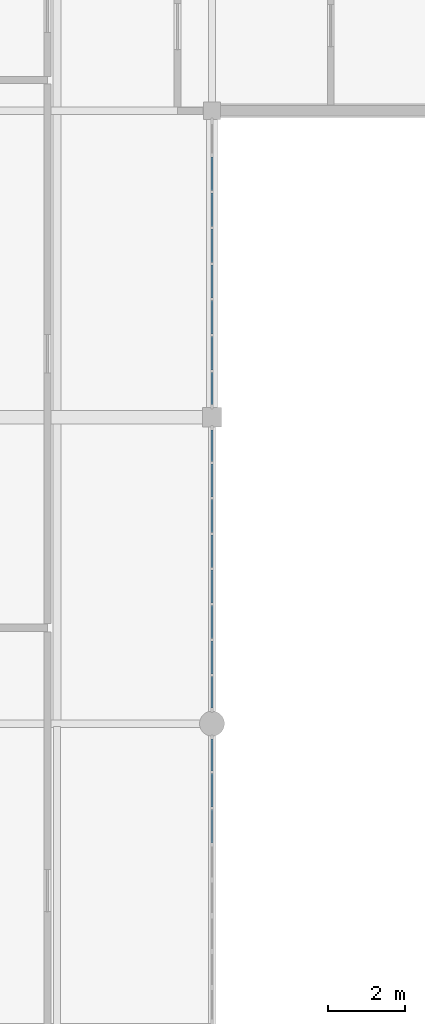
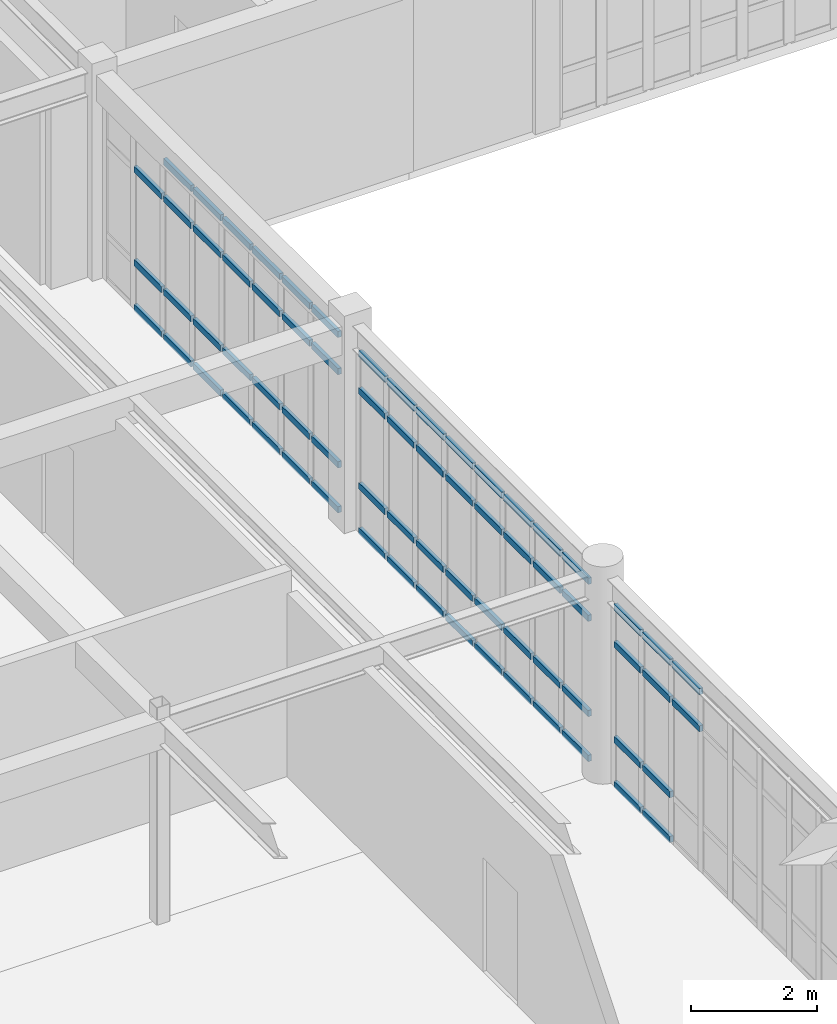
# One storey, part 17 of 36: 69 members, 3 elements without a shape of their own.
"""IFC4 building model written with IfcOpenShell, lengths in metres."""

from ifc_helpers import new_model, si_unit, direction, frame, origin, origin_2d, place, context, subcontext, project, spatial, rectangle, extrude, material, material_profile, profile_set, type_object, element, aggregate, save


model = new_model("IFC4")

# Units and contexts
model_context = context("Model", 3, precision=1e-05, world=origin(), true_north=direction((0.0, 1.0)))
body_context = subcontext(model_context, "Body", "Model", "MODEL_VIEW")
ifc_project = project(units=[si_unit("LENGTHUNIT", "METRE"), si_unit("AREAUNIT", "SQUARE_METRE"), si_unit("VOLUMEUNIT", "CUBIC_METRE"), si_unit("PLANEANGLEUNIT", "RADIAN"), si_unit("MASSUNIT", "GRAM", prefix="KILO")], contexts=[model_context])

# Site, building, storey
site_placement = place(None, origin())
site = spatial("IfcSite", under=ifc_project, at=site_placement, CompositionType="ELEMENT")
building_placement = place(site_placement, origin())
building = spatial("IfcBuilding", under=site, at=building_placement, Name="Tarnveldt Square Police Headquarters", CompositionType="ELEMENT")
storey_placement = place(building_placement, frame((0.0, 0.0, 24.89990234375)))
storey = spatial("IfcBuildingStorey", under=building, at=storey_placement, Name="L05", CompositionType="ELEMENT", Elevation=24.89990234375)

# Curtain wall, members
ifc_material_1 = material(Name="Triple-glazed low-e laminated vision glass", Category="glass")
curtain_wall_type_1 = type_object("IfcCurtainWallType", Name="CW-UP-748x349", PredefinedType="USERDEFINED", material=ifc_material_1)
curtain_wall_1_placement = place(storey_placement, origin())
curtain_wall_1 = element("IfcCurtainWall", 1, at=curtain_wall_1_placement, inside=storey, type_object=curtain_wall_type_1, Name="L05 Curtain Wall CW-L05-086", ObjectType="GLAZED CURTAIN WALL", PredefinedType="USERDEFINED")
ifc_material_2 = material(Name="Thermally broken anodised aluminium 6063-T6", Category="aluminium")
ifc_material_profile = material_profile(ifc_material_2, rectangle(XDim=0.06494140625, YDim=0.1201171875, at=origin_2d()), Name="CW-T65x120")
ifc_profile_set = profile_set([ifc_material_profile], Name="Thermally broken anodised aluminium 6063-T6")
member_type = type_object("IfcMemberType", Name="CWT-65x120", PredefinedType="USERDEFINED", material=ifc_profile_set)
member_1_placement = place(storey_placement, frame((40.5, 76.886474609375, 2.739013671875), z_axis=(0.0, 1.0, 0.0), x_axis=(-1.0, 0.0, 0.0)))
member_1 = element("IfcMember", 2, at=member_1_placement, type_object=member_type, Name="CW-UP44 transom 6.3", ObjectType="TRANSOM", PredefinedType="USERDEFINED", context=body_context, shape_type="SweptSolid", body=[
    extrude(rectangle(XDim=0.06494140625, YDim=0.1201171875, at=origin_2d()), origin(), (0.0, 0.0, 1.0), 0.870361328125),
])
member_2_placement = place(storey_placement, frame((40.5, 76.886474609375, 3.45654296875), z_axis=(0.0, 1.0, 0.0), x_axis=(-1.0, 0.0, 0.0)))
member_2 = element("IfcMember", 3, at=member_2_placement, type_object=member_type, Name="CW-UP44 transom 6.4", ObjectType="TRANSOM", PredefinedType="USERDEFINED", context=body_context, shape_type="SweptSolid", body=[
    extrude(rectangle(XDim=0.06494140625, YDim=0.1201171875, at=origin_2d()), origin(), (0.0, 0.0, 1.0), 0.870361328125),
])
member_3_placement = place(storey_placement, frame((40.5, 77.82177734375, 0.03271484375), z_axis=(0.0, 1.0, 0.0), x_axis=(-1.0, 0.0, 0.0)))
member_3 = element("IfcMember", 4, at=member_3_placement, type_object=member_type, Name="CW-UP44 transom 7.1", ObjectType="TRANSOM", PredefinedType="USERDEFINED", context=body_context, shape_type="SweptSolid", body=[
    extrude(rectangle(XDim=0.06494140625, YDim=0.1201171875, at=origin_2d()), origin(), (0.0, 0.0, 1.0), 0.870361328125),
])
member_4_placement = place(storey_placement, frame((40.5, 77.82177734375, 0.900146484375), z_axis=(0.0, 1.0, 0.0), x_axis=(-1.0, 0.0, 0.0)))
member_4 = element("IfcMember", 5, at=member_4_placement, type_object=member_type, Name="CW-UP44 transom 7.2", ObjectType="TRANSOM", PredefinedType="USERDEFINED", context=body_context, shape_type="SweptSolid", body=[
    extrude(rectangle(XDim=0.06494140625, YDim=0.1201171875, at=origin_2d()), origin(), (0.0, 0.0, 1.0), 0.870361328125),
])
member_5_placement = place(storey_placement, frame((40.5, 77.82177734375, 2.739013671875), z_axis=(0.0, 1.0, 0.0), x_axis=(-1.0, 0.0, 0.0)))
member_5 = element("IfcMember", 6, at=member_5_placement, type_object=member_type, Name="CW-UP44 transom 7.3", ObjectType="TRANSOM", PredefinedType="USERDEFINED", context=body_context, shape_type="SweptSolid", body=[
    extrude(rectangle(XDim=0.06494140625, YDim=0.1201171875, at=origin_2d()), origin(), (0.0, 0.0, 1.0), 0.870361328125),
])
member_6_placement = place(storey_placement, frame((40.5, 77.82177734375, 3.45654296875), z_axis=(0.0, 1.0, 0.0), x_axis=(-1.0, 0.0, 0.0)))
member_6 = element("IfcMember", 7, at=member_6_placement, type_object=member_type, Name="CW-UP44 transom 7.4", ObjectType="TRANSOM", PredefinedType="USERDEFINED", context=body_context, shape_type="SweptSolid", body=[
    extrude(rectangle(XDim=0.06494140625, YDim=0.1201171875, at=origin_2d()), origin(), (0.0, 0.0, 1.0), 0.870361328125),
])
member_7_placement = place(storey_placement, frame((40.5, 78.757080078125, 0.03271484375), z_axis=(0.0, 1.0, 0.0), x_axis=(-1.0, 0.0, 0.0)))
member_7 = element("IfcMember", 8, at=member_7_placement, type_object=member_type, Name="CW-UP44 transom 8.1", ObjectType="TRANSOM", PredefinedType="USERDEFINED", context=body_context, shape_type="SweptSolid", body=[
    extrude(rectangle(XDim=0.06494140625, YDim=0.1201171875, at=origin_2d()), origin(), (0.0, 0.0, 1.0), 0.837890625),
])
member_8_placement = place(storey_placement, frame((40.5, 78.757080078125, 0.900146484375), z_axis=(0.0, 1.0, 0.0), x_axis=(-1.0, 0.0, 0.0)))
member_8 = element("IfcMember", 9, at=member_8_placement, type_object=member_type, Name="CW-UP44 transom 8.2", ObjectType="TRANSOM", PredefinedType="USERDEFINED", context=body_context, shape_type="SweptSolid", body=[
    extrude(rectangle(XDim=0.06494140625, YDim=0.1201171875, at=origin_2d()), origin(), (0.0, 0.0, 1.0), 0.837890625),
])
member_9_placement = place(storey_placement, frame((40.5, 78.757080078125, 2.739013671875), z_axis=(0.0, 1.0, 0.0), x_axis=(-1.0, 0.0, 0.0)))
member_9 = element("IfcMember", 10, at=member_9_placement, type_object=member_type, Name="CW-UP44 transom 8.3", ObjectType="TRANSOM", PredefinedType="USERDEFINED", context=body_context, shape_type="SweptSolid", body=[
    extrude(rectangle(XDim=0.06494140625, YDim=0.1201171875, at=origin_2d()), origin(), (0.0, 0.0, 1.0), 0.837890625),
])
member_10_placement = place(storey_placement, frame((40.5, 78.757080078125, 3.45654296875), z_axis=(0.0, 1.0, 0.0), x_axis=(-1.0, 0.0, 0.0)))
member_10 = element("IfcMember", 11, at=member_10_placement, type_object=member_type, Name="CW-UP44 transom 8.4", ObjectType="TRANSOM", PredefinedType="USERDEFINED", context=body_context, shape_type="SweptSolid", body=[
    extrude(rectangle(XDim=0.06494140625, YDim=0.1201171875, at=origin_2d()), origin(), (0.0, 0.0, 1.0), 0.837890625),
])
aggregate(curtain_wall_1, [member_1, member_2, member_3, member_4, member_5, member_6, member_7, member_8, member_9, member_10])

curtain_wall_type_2 = type_object("IfcCurtainWallType", Name="CW-UP-739x349", PredefinedType="USERDEFINED", material=ifc_material_1)
curtain_wall_2_placement = place(storey_placement, origin())
curtain_wall_2 = element("IfcCurtainWall", 12, at=curtain_wall_2_placement, inside=storey, type_object=curtain_wall_type_2, Name="L05 Curtain Wall CW-L05-087", ObjectType="GLAZED CURTAIN WALL", PredefinedType="USERDEFINED")
member_11_placement = place(storey_placement, frame((40.5, 80.405029296875, 0.03271484375), z_axis=(0.0, 1.0, 0.0), x_axis=(-1.0, 0.0, 0.0)))
member_11 = element("IfcMember", 13, at=member_11_placement, type_object=member_type, Name="CW-UP45 transom 1.1", ObjectType="TRANSOM", PredefinedType="USERDEFINED", context=body_context, shape_type="SweptSolid", body=[
    extrude(rectangle(XDim=0.06494140625, YDim=0.1201171875, at=origin_2d()), origin(), (0.0, 0.0, 1.0), 0.826904296875),
])
member_12_placement = place(storey_placement, frame((40.5, 80.405029296875, 0.900146484375), z_axis=(0.0, 1.0, 0.0), x_axis=(-1.0, 0.0, 0.0)))
member_12 = element("IfcMember", 14, at=member_12_placement, type_object=member_type, Name="CW-UP45 transom 1.2", ObjectType="TRANSOM", PredefinedType="USERDEFINED", context=body_context, shape_type="SweptSolid", body=[
    extrude(rectangle(XDim=0.06494140625, YDim=0.1201171875, at=origin_2d()), origin(), (0.0, 0.0, 1.0), 0.826904296875),
])
member_13_placement = place(storey_placement, frame((40.5, 80.405029296875, 2.739013671875), z_axis=(0.0, 1.0, 0.0), x_axis=(-1.0, 0.0, 0.0)))
member_13 = element("IfcMember", 15, at=member_13_placement, type_object=member_type, Name="CW-UP45 transom 1.3", ObjectType="TRANSOM", PredefinedType="USERDEFINED", context=body_context, shape_type="SweptSolid", body=[
    extrude(rectangle(XDim=0.06494140625, YDim=0.1201171875, at=origin_2d()), origin(), (0.0, 0.0, 1.0), 0.826904296875),
])
member_14_placement = place(storey_placement, frame((40.5, 80.405029296875, 3.45654296875), z_axis=(0.0, 1.0, 0.0), x_axis=(-1.0, 0.0, 0.0)))
member_14 = element("IfcMember", 16, at=member_14_placement, type_object=member_type, Name="CW-UP45 transom 1.4", ObjectType="TRANSOM", PredefinedType="USERDEFINED", context=body_context, shape_type="SweptSolid", body=[
    extrude(rectangle(XDim=0.06494140625, YDim=0.1201171875, at=origin_2d()), origin(), (0.0, 0.0, 1.0), 0.826904296875),
])
member_15_placement = place(storey_placement, frame((40.5, 81.296875, 0.03271484375), z_axis=(0.0, 1.0, 0.0), x_axis=(-1.0, 0.0, 0.0)))
member_15 = element("IfcMember", 17, at=member_15_placement, type_object=member_type, Name="CW-UP45 transom 2.1", ObjectType="TRANSOM", PredefinedType="USERDEFINED", context=body_context, shape_type="SweptSolid", body=[
    extrude(rectangle(XDim=0.06494140625, YDim=0.1201171875, at=origin_2d()), origin(), (0.0, 0.0, 1.0), 0.859375),
])
member_16_placement = place(storey_placement, frame((40.5, 81.296875, 0.900146484375), z_axis=(0.0, 1.0, 0.0), x_axis=(-1.0, 0.0, 0.0)))
member_16 = element("IfcMember", 18, at=member_16_placement, type_object=member_type, Name="CW-UP45 transom 2.2", ObjectType="TRANSOM", PredefinedType="USERDEFINED", context=body_context, shape_type="SweptSolid", body=[
    extrude(rectangle(XDim=0.06494140625, YDim=0.1201171875, at=origin_2d()), origin(), (0.0, 0.0, 1.0), 0.859375),
])
member_17_placement = place(storey_placement, frame((40.5, 81.296875, 2.739013671875), z_axis=(0.0, 1.0, 0.0), x_axis=(-1.0, 0.0, 0.0)))
member_17 = element("IfcMember", 19, at=member_17_placement, type_object=member_type, Name="CW-UP45 transom 2.3", ObjectType="TRANSOM", PredefinedType="USERDEFINED", context=body_context, shape_type="SweptSolid", body=[
    extrude(rectangle(XDim=0.06494140625, YDim=0.1201171875, at=origin_2d()), origin(), (0.0, 0.0, 1.0), 0.859375),
])
member_18_placement = place(storey_placement, frame((40.5, 81.296875, 3.45654296875), z_axis=(0.0, 1.0, 0.0), x_axis=(-1.0, 0.0, 0.0)))
member_18 = element("IfcMember", 20, at=member_18_placement, type_object=member_type, Name="CW-UP45 transom 2.4", ObjectType="TRANSOM", PredefinedType="USERDEFINED", context=body_context, shape_type="SweptSolid", body=[
    extrude(rectangle(XDim=0.06494140625, YDim=0.1201171875, at=origin_2d()), origin(), (0.0, 0.0, 1.0), 0.859375),
])
member_19_placement = place(storey_placement, frame((40.5, 82.22119140625, 0.03271484375), z_axis=(0.0, 1.0, 0.0), x_axis=(-1.0, 0.0, 0.0)))
member_19 = element("IfcMember", 21, at=member_19_placement, type_object=member_type, Name="CW-UP45 transom 3.1", ObjectType="TRANSOM", PredefinedType="USERDEFINED", context=body_context, shape_type="SweptSolid", body=[
    extrude(rectangle(XDim=0.06494140625, YDim=0.1201171875, at=origin_2d()), origin(), (0.0, 0.0, 1.0), 0.859375),
])
member_20_placement = place(storey_placement, frame((40.5, 82.22119140625, 0.900146484375), z_axis=(0.0, 1.0, 0.0), x_axis=(-1.0, 0.0, 0.0)))
member_20 = element("IfcMember", 22, at=member_20_placement, type_object=member_type, Name="CW-UP45 transom 3.2", ObjectType="TRANSOM", PredefinedType="USERDEFINED", context=body_context, shape_type="SweptSolid", body=[
    extrude(rectangle(XDim=0.06494140625, YDim=0.1201171875, at=origin_2d()), origin(), (0.0, 0.0, 1.0), 0.859375),
])
member_21_placement = place(storey_placement, frame((40.5, 82.22119140625, 2.739013671875), z_axis=(0.0, 1.0, 0.0), x_axis=(-1.0, 0.0, 0.0)))
member_21 = element("IfcMember", 23, at=member_21_placement, type_object=member_type, Name="CW-UP45 transom 3.3", ObjectType="TRANSOM", PredefinedType="USERDEFINED", context=body_context, shape_type="SweptSolid", body=[
    extrude(rectangle(XDim=0.06494140625, YDim=0.1201171875, at=origin_2d()), origin(), (0.0, 0.0, 1.0), 0.859375),
])
member_22_placement = place(storey_placement, frame((40.5, 82.22119140625, 3.45654296875), z_axis=(0.0, 1.0, 0.0), x_axis=(-1.0, 0.0, 0.0)))
member_22 = element("IfcMember", 24, at=member_22_placement, type_object=member_type, Name="CW-UP45 transom 3.4", ObjectType="TRANSOM", PredefinedType="USERDEFINED", context=body_context, shape_type="SweptSolid", body=[
    extrude(rectangle(XDim=0.06494140625, YDim=0.1201171875, at=origin_2d()), origin(), (0.0, 0.0, 1.0), 0.859375),
])
member_23_placement = place(storey_placement, frame((40.5, 83.1455078125, 0.03271484375), z_axis=(0.0, 1.0, 0.0), x_axis=(-1.0, 0.0, 0.0)))
member_23 = element("IfcMember", 25, at=member_23_placement, type_object=member_type, Name="CW-UP45 transom 4.1", ObjectType="TRANSOM", PredefinedType="USERDEFINED", context=body_context, shape_type="SweptSolid", body=[
    extrude(rectangle(XDim=0.06494140625, YDim=0.1201171875, at=origin_2d()), origin(), (0.0, 0.0, 1.0), 0.859375),
])
member_24_placement = place(storey_placement, frame((40.5, 83.1455078125, 0.900146484375), z_axis=(0.0, 1.0, 0.0), x_axis=(-1.0, 0.0, 0.0)))
member_24 = element("IfcMember", 26, at=member_24_placement, type_object=member_type, Name="CW-UP45 transom 4.2", ObjectType="TRANSOM", PredefinedType="USERDEFINED", context=body_context, shape_type="SweptSolid", body=[
    extrude(rectangle(XDim=0.06494140625, YDim=0.1201171875, at=origin_2d()), origin(), (0.0, 0.0, 1.0), 0.859375),
])
member_25_placement = place(storey_placement, frame((40.5, 83.1455078125, 2.739013671875), z_axis=(0.0, 1.0, 0.0), x_axis=(-1.0, 0.0, 0.0)))
member_25 = element("IfcMember", 27, at=member_25_placement, type_object=member_type, Name="CW-UP45 transom 4.3", ObjectType="TRANSOM", PredefinedType="USERDEFINED", context=body_context, shape_type="SweptSolid", body=[
    extrude(rectangle(XDim=0.06494140625, YDim=0.1201171875, at=origin_2d()), origin(), (0.0, 0.0, 1.0), 0.859375),
])
member_26_placement = place(storey_placement, frame((40.5, 83.1455078125, 3.45654296875), z_axis=(0.0, 1.0, 0.0), x_axis=(-1.0, 0.0, 0.0)))
member_26 = element("IfcMember", 28, at=member_26_placement, type_object=member_type, Name="CW-UP45 transom 4.4", ObjectType="TRANSOM", PredefinedType="USERDEFINED", context=body_context, shape_type="SweptSolid", body=[
    extrude(rectangle(XDim=0.06494140625, YDim=0.1201171875, at=origin_2d()), origin(), (0.0, 0.0, 1.0), 0.859375),
])
member_27_placement = place(storey_placement, frame((40.5, 84.070068359375, 0.03271484375), z_axis=(0.0, 1.0, 0.0), x_axis=(-1.0, 0.0, 0.0)))
member_27 = element("IfcMember", 29, at=member_27_placement, type_object=member_type, Name="CW-UP45 transom 5.1", ObjectType="TRANSOM", PredefinedType="USERDEFINED", context=body_context, shape_type="SweptSolid", body=[
    extrude(rectangle(XDim=0.06494140625, YDim=0.1201171875, at=origin_2d()), origin(), (0.0, 0.0, 1.0), 0.859375),
])
member_28_placement = place(storey_placement, frame((40.5, 84.070068359375, 0.900146484375), z_axis=(0.0, 1.0, 0.0), x_axis=(-1.0, 0.0, 0.0)))
member_28 = element("IfcMember", 30, at=member_28_placement, type_object=member_type, Name="CW-UP45 transom 5.2", ObjectType="TRANSOM", PredefinedType="USERDEFINED", context=body_context, shape_type="SweptSolid", body=[
    extrude(rectangle(XDim=0.06494140625, YDim=0.1201171875, at=origin_2d()), origin(), (0.0, 0.0, 1.0), 0.859375),
])
member_29_placement = place(storey_placement, frame((40.5, 84.070068359375, 2.739013671875), z_axis=(0.0, 1.0, 0.0), x_axis=(-1.0, 0.0, 0.0)))
member_29 = element("IfcMember", 31, at=member_29_placement, type_object=member_type, Name="CW-UP45 transom 5.3", ObjectType="TRANSOM", PredefinedType="USERDEFINED", context=body_context, shape_type="SweptSolid", body=[
    extrude(rectangle(XDim=0.06494140625, YDim=0.1201171875, at=origin_2d()), origin(), (0.0, 0.0, 1.0), 0.859375),
])
member_30_placement = place(storey_placement, frame((40.5, 84.070068359375, 3.45654296875), z_axis=(0.0, 1.0, 0.0), x_axis=(-1.0, 0.0, 0.0)))
member_30 = element("IfcMember", 32, at=member_30_placement, type_object=member_type, Name="CW-UP45 transom 5.4", ObjectType="TRANSOM", PredefinedType="USERDEFINED", context=body_context, shape_type="SweptSolid", body=[
    extrude(rectangle(XDim=0.06494140625, YDim=0.1201171875, at=origin_2d()), origin(), (0.0, 0.0, 1.0), 0.859375),
])
member_31_placement = place(storey_placement, frame((40.5, 84.994384765625, 0.03271484375), z_axis=(0.0, 1.0, 0.0), x_axis=(-1.0, 0.0, 0.0)))
member_31 = element("IfcMember", 33, at=member_31_placement, type_object=member_type, Name="CW-UP45 transom 6.1", ObjectType="TRANSOM", PredefinedType="USERDEFINED", context=body_context, shape_type="SweptSolid", body=[
    extrude(rectangle(XDim=0.06494140625, YDim=0.1201171875, at=origin_2d()), origin(), (0.0, 0.0, 1.0), 0.859375),
])
member_32_placement = place(storey_placement, frame((40.5, 84.994384765625, 0.900146484375), z_axis=(0.0, 1.0, 0.0), x_axis=(-1.0, 0.0, 0.0)))
member_32 = element("IfcMember", 34, at=member_32_placement, type_object=member_type, Name="CW-UP45 transom 6.2", ObjectType="TRANSOM", PredefinedType="USERDEFINED", context=body_context, shape_type="SweptSolid", body=[
    extrude(rectangle(XDim=0.06494140625, YDim=0.1201171875, at=origin_2d()), origin(), (0.0, 0.0, 1.0), 0.859375),
])
member_33_placement = place(storey_placement, frame((40.5, 84.994384765625, 2.739013671875), z_axis=(0.0, 1.0, 0.0), x_axis=(-1.0, 0.0, 0.0)))
member_33 = element("IfcMember", 35, at=member_33_placement, type_object=member_type, Name="CW-UP45 transom 6.3", ObjectType="TRANSOM", PredefinedType="USERDEFINED", context=body_context, shape_type="SweptSolid", body=[
    extrude(rectangle(XDim=0.06494140625, YDim=0.1201171875, at=origin_2d()), origin(), (0.0, 0.0, 1.0), 0.859375),
])
member_34_placement = place(storey_placement, frame((40.5, 84.994384765625, 3.45654296875), z_axis=(0.0, 1.0, 0.0), x_axis=(-1.0, 0.0, 0.0)))
member_34 = element("IfcMember", 36, at=member_34_placement, type_object=member_type, Name="CW-UP45 transom 6.4", ObjectType="TRANSOM", PredefinedType="USERDEFINED", context=body_context, shape_type="SweptSolid", body=[
    extrude(rectangle(XDim=0.06494140625, YDim=0.1201171875, at=origin_2d()), origin(), (0.0, 0.0, 1.0), 0.859375),
])
member_35_placement = place(storey_placement, frame((40.5, 85.918701171875, 0.03271484375), z_axis=(0.0, 1.0, 0.0), x_axis=(-1.0, 0.0, 0.0)))
member_35 = element("IfcMember", 37, at=member_35_placement, type_object=member_type, Name="CW-UP45 transom 7.1", ObjectType="TRANSOM", PredefinedType="USERDEFINED", context=body_context, shape_type="SweptSolid", body=[
    extrude(rectangle(XDim=0.06494140625, YDim=0.1201171875, at=origin_2d()), origin(), (0.0, 0.0, 1.0), 0.859375),
])
member_36_placement = place(storey_placement, frame((40.5, 85.918701171875, 0.900146484375), z_axis=(0.0, 1.0, 0.0), x_axis=(-1.0, 0.0, 0.0)))
member_36 = element("IfcMember", 38, at=member_36_placement, type_object=member_type, Name="CW-UP45 transom 7.2", ObjectType="TRANSOM", PredefinedType="USERDEFINED", context=body_context, shape_type="SweptSolid", body=[
    extrude(rectangle(XDim=0.06494140625, YDim=0.1201171875, at=origin_2d()), origin(), (0.0, 0.0, 1.0), 0.859375),
])
member_37_placement = place(storey_placement, frame((40.5, 85.918701171875, 2.739013671875), z_axis=(0.0, 1.0, 0.0), x_axis=(-1.0, 0.0, 0.0)))
member_37 = element("IfcMember", 39, at=member_37_placement, type_object=member_type, Name="CW-UP45 transom 7.3", ObjectType="TRANSOM", PredefinedType="USERDEFINED", context=body_context, shape_type="SweptSolid", body=[
    extrude(rectangle(XDim=0.06494140625, YDim=0.1201171875, at=origin_2d()), origin(), (0.0, 0.0, 1.0), 0.859375),
])
member_38_placement = place(storey_placement, frame((40.5, 85.918701171875, 3.45654296875), z_axis=(0.0, 1.0, 0.0), x_axis=(-1.0, 0.0, 0.0)))
member_38 = element("IfcMember", 40, at=member_38_placement, type_object=member_type, Name="CW-UP45 transom 7.4", ObjectType="TRANSOM", PredefinedType="USERDEFINED", context=body_context, shape_type="SweptSolid", body=[
    extrude(rectangle(XDim=0.06494140625, YDim=0.1201171875, at=origin_2d()), origin(), (0.0, 0.0, 1.0), 0.859375),
])
member_39_placement = place(storey_placement, frame((40.5, 86.843017578125, 0.03271484375), z_axis=(0.0, 1.0, 0.0), x_axis=(-1.0, 0.0, 0.0)))
member_39 = element("IfcMember", 41, at=member_39_placement, type_object=member_type, Name="CW-UP45 transom 8.1", ObjectType="TRANSOM", PredefinedType="USERDEFINED", context=body_context, shape_type="SweptSolid", body=[
    extrude(rectangle(XDim=0.06494140625, YDim=0.1201171875, at=origin_2d()), origin(), (0.0, 0.0, 1.0), 0.826904296875),
])
member_40_placement = place(storey_placement, frame((40.5, 86.843017578125, 0.900146484375), z_axis=(0.0, 1.0, 0.0), x_axis=(-1.0, 0.0, 0.0)))
member_40 = element("IfcMember", 42, at=member_40_placement, type_object=member_type, Name="CW-UP45 transom 8.2", ObjectType="TRANSOM", PredefinedType="USERDEFINED", context=body_context, shape_type="SweptSolid", body=[
    extrude(rectangle(XDim=0.06494140625, YDim=0.1201171875, at=origin_2d()), origin(), (0.0, 0.0, 1.0), 0.826904296875),
])
member_41_placement = place(storey_placement, frame((40.5, 86.843017578125, 2.739013671875), z_axis=(0.0, 1.0, 0.0), x_axis=(-1.0, 0.0, 0.0)))
member_41 = element("IfcMember", 43, at=member_41_placement, type_object=member_type, Name="CW-UP45 transom 8.3", ObjectType="TRANSOM", PredefinedType="USERDEFINED", context=body_context, shape_type="SweptSolid", body=[
    extrude(rectangle(XDim=0.06494140625, YDim=0.1201171875, at=origin_2d()), origin(), (0.0, 0.0, 1.0), 0.826904296875),
])
member_42_placement = place(storey_placement, frame((40.5, 86.843017578125, 3.45654296875), z_axis=(0.0, 1.0, 0.0), x_axis=(-1.0, 0.0, 0.0)))
member_42 = element("IfcMember", 44, at=member_42_placement, type_object=member_type, Name="CW-UP45 transom 8.4", ObjectType="TRANSOM", PredefinedType="USERDEFINED", context=body_context, shape_type="SweptSolid", body=[
    extrude(rectangle(XDim=0.06494140625, YDim=0.1201171875, at=origin_2d()), origin(), (0.0, 0.0, 1.0), 0.826904296875),
])
aggregate(curtain_wall_2, [member_11, member_12, member_13, member_14, member_15, member_16, member_17, member_18, member_19, member_20, member_21, member_22, member_23, member_24, member_25, member_26, member_27, member_28, member_29, member_30, member_31, member_32, member_33, member_34, member_35, member_36, member_37, member_38, member_39, member_40, member_41, member_42])

curtain_wall_type_3 = type_object("IfcCurtainWallType", Name="CW-UP-750x345", PredefinedType="USERDEFINED", material=ifc_material_1)
curtain_wall_3_placement = place(storey_placement, origin())
curtain_wall_3 = element("IfcCurtainWall", 45, at=curtain_wall_3_placement, inside=storey, type_object=curtain_wall_type_3, Name="L05 Curtain Wall CW-L05-088", ObjectType="GLAZED CURTAIN WALL", PredefinedType="USERDEFINED")
member_43_placement = place(storey_placement, frame((40.5, 88.330078125, 0.03271484375), z_axis=(0.0, 1.0, 0.0), x_axis=(-1.0, 0.0, 0.0)))
member_43 = element("IfcMember", 46, at=member_43_placement, type_object=member_type, Name="CW-UP46 transom 1.1", ObjectType="TRANSOM", PredefinedType="USERDEFINED", context=body_context, shape_type="SweptSolid", body=[
    extrude(rectangle(XDim=0.06494140625, YDim=0.1201171875, at=origin_2d()), origin(), (0.0, 0.0, 1.0), 0.83935546875),
])
member_44_placement = place(storey_placement, frame((40.5, 88.330078125, 0.900146484375), z_axis=(0.0, 1.0, 0.0), x_axis=(-1.0, 0.0, 0.0)))
member_44 = element("IfcMember", 47, at=member_44_placement, type_object=member_type, Name="CW-UP46 transom 1.2", ObjectType="TRANSOM", PredefinedType="USERDEFINED", context=body_context, shape_type="SweptSolid", body=[
    extrude(rectangle(XDim=0.06494140625, YDim=0.1201171875, at=origin_2d()), origin(), (0.0, 0.0, 1.0), 0.83935546875),
])
member_45_placement = place(storey_placement, frame((40.5, 88.330078125, 2.7021484375), z_axis=(0.0, 1.0, 0.0), x_axis=(-1.0, 0.0, 0.0)))
member_45 = element("IfcMember", 48, at=member_45_placement, type_object=member_type, Name="CW-UP46 transom 1.3", ObjectType="TRANSOM", PredefinedType="USERDEFINED", context=body_context, shape_type="SweptSolid", body=[
    extrude(rectangle(XDim=0.06494140625, YDim=0.1201171875, at=origin_2d()), origin(), (0.0, 0.0, 1.0), 0.83935546875),
])
member_46_placement = place(storey_placement, frame((40.5, 88.330078125, 3.419677734375), z_axis=(0.0, 1.0, 0.0), x_axis=(-1.0, 0.0, 0.0)))
member_46 = element("IfcMember", 49, at=member_46_placement, type_object=member_type, Name="CW-UP46 transom 1.4", ObjectType="TRANSOM", PredefinedType="USERDEFINED", context=body_context, shape_type="SweptSolid", body=[
    extrude(rectangle(XDim=0.06494140625, YDim=0.1201171875, at=origin_2d()), origin(), (0.0, 0.0, 1.0), 0.83935546875),
])
member_47_placement = place(storey_placement, frame((40.5, 89.234375, 0.03271484375), z_axis=(0.0, 1.0, 0.0), x_axis=(-1.0, 0.0, 0.0)))
member_47 = element("IfcMember", 50, at=member_47_placement, type_object=member_type, Name="CW-UP46 transom 2.1", ObjectType="TRANSOM", PredefinedType="USERDEFINED", context=body_context, shape_type="SweptSolid", body=[
    extrude(rectangle(XDim=0.06494140625, YDim=0.1201171875, at=origin_2d()), origin(), (0.0, 0.0, 1.0), 0.871826171875),
])
member_48_placement = place(storey_placement, frame((40.5, 89.234375, 0.900146484375), z_axis=(0.0, 1.0, 0.0), x_axis=(-1.0, 0.0, 0.0)))
member_48 = element("IfcMember", 51, at=member_48_placement, type_object=member_type, Name="CW-UP46 transom 2.2", ObjectType="TRANSOM", PredefinedType="USERDEFINED", context=body_context, shape_type="SweptSolid", body=[
    extrude(rectangle(XDim=0.06494140625, YDim=0.1201171875, at=origin_2d()), origin(), (0.0, 0.0, 1.0), 0.871826171875),
])
member_49_placement = place(storey_placement, frame((40.5, 89.234375, 2.7021484375), z_axis=(0.0, 1.0, 0.0), x_axis=(-1.0, 0.0, 0.0)))
member_49 = element("IfcMember", 52, at=member_49_placement, type_object=member_type, Name="CW-UP46 transom 2.3", ObjectType="TRANSOM", PredefinedType="USERDEFINED", context=body_context, shape_type="SweptSolid", body=[
    extrude(rectangle(XDim=0.06494140625, YDim=0.1201171875, at=origin_2d()), origin(), (0.0, 0.0, 1.0), 0.871826171875),
])
member_50_placement = place(storey_placement, frame((40.5, 89.234375, 3.419677734375), z_axis=(0.0, 1.0, 0.0), x_axis=(-1.0, 0.0, 0.0)))
member_50 = element("IfcMember", 53, at=member_50_placement, type_object=member_type, Name="CW-UP46 transom 2.4", ObjectType="TRANSOM", PredefinedType="USERDEFINED", context=body_context, shape_type="SweptSolid", body=[
    extrude(rectangle(XDim=0.06494140625, YDim=0.1201171875, at=origin_2d()), origin(), (0.0, 0.0, 1.0), 0.871826171875),
])
member_51_placement = place(storey_placement, frame((40.5, 90.171142578125, 0.03271484375), z_axis=(0.0, 1.0, 0.0), x_axis=(-1.0, 0.0, 0.0)))
member_51 = element("IfcMember", 54, at=member_51_placement, type_object=member_type, Name="CW-UP46 transom 3.1", ObjectType="TRANSOM", PredefinedType="USERDEFINED", context=body_context, shape_type="SweptSolid", body=[
    extrude(rectangle(XDim=0.06494140625, YDim=0.1201171875, at=origin_2d()), origin(), (0.0, 0.0, 1.0), 0.8720703125),
])
member_52_placement = place(storey_placement, frame((40.5, 90.171142578125, 0.900146484375), z_axis=(0.0, 1.0, 0.0), x_axis=(-1.0, 0.0, 0.0)))
member_52 = element("IfcMember", 55, at=member_52_placement, type_object=member_type, Name="CW-UP46 transom 3.2", ObjectType="TRANSOM", PredefinedType="USERDEFINED", context=body_context, shape_type="SweptSolid", body=[
    extrude(rectangle(XDim=0.06494140625, YDim=0.1201171875, at=origin_2d()), origin(), (0.0, 0.0, 1.0), 0.8720703125),
])
member_53_placement = place(storey_placement, frame((40.5, 90.171142578125, 2.7021484375), z_axis=(0.0, 1.0, 0.0), x_axis=(-1.0, 0.0, 0.0)))
member_53 = element("IfcMember", 56, at=member_53_placement, type_object=member_type, Name="CW-UP46 transom 3.3", ObjectType="TRANSOM", PredefinedType="USERDEFINED", context=body_context, shape_type="SweptSolid", body=[
    extrude(rectangle(XDim=0.06494140625, YDim=0.1201171875, at=origin_2d()), origin(), (0.0, 0.0, 1.0), 0.8720703125),
])
member_54_placement = place(storey_placement, frame((40.5, 90.171142578125, 3.419677734375), z_axis=(0.0, 1.0, 0.0), x_axis=(-1.0, 0.0, 0.0)))
member_54 = element("IfcMember", 57, at=member_54_placement, type_object=member_type, Name="CW-UP46 transom 3.4", ObjectType="TRANSOM", PredefinedType="USERDEFINED", context=body_context, shape_type="SweptSolid", body=[
    extrude(rectangle(XDim=0.06494140625, YDim=0.1201171875, at=origin_2d()), origin(), (0.0, 0.0, 1.0), 0.8720703125),
])
member_55_placement = place(storey_placement, frame((40.5, 91.108154296875, 0.03271484375), z_axis=(0.0, 1.0, 0.0), x_axis=(-1.0, 0.0, 0.0)))
member_55 = element("IfcMember", 58, at=member_55_placement, type_object=member_type, Name="CW-UP46 transom 4.1", ObjectType="TRANSOM", PredefinedType="USERDEFINED", context=body_context, shape_type="SweptSolid", body=[
    extrude(rectangle(XDim=0.06494140625, YDim=0.1201171875, at=origin_2d()), origin(), (0.0, 0.0, 1.0), 0.871826171875),
])
member_56_placement = place(storey_placement, frame((40.5, 91.108154296875, 0.900146484375), z_axis=(0.0, 1.0, 0.0), x_axis=(-1.0, 0.0, 0.0)))
member_56 = element("IfcMember", 59, at=member_56_placement, type_object=member_type, Name="CW-UP46 transom 4.2", ObjectType="TRANSOM", PredefinedType="USERDEFINED", context=body_context, shape_type="SweptSolid", body=[
    extrude(rectangle(XDim=0.06494140625, YDim=0.1201171875, at=origin_2d()), origin(), (0.0, 0.0, 1.0), 0.871826171875),
])
member_57_placement = place(storey_placement, frame((40.5, 91.108154296875, 2.7021484375), z_axis=(0.0, 1.0, 0.0), x_axis=(-1.0, 0.0, 0.0)))
member_57 = element("IfcMember", 60, at=member_57_placement, type_object=member_type, Name="CW-UP46 transom 4.3", ObjectType="TRANSOM", PredefinedType="USERDEFINED", context=body_context, shape_type="SweptSolid", body=[
    extrude(rectangle(XDim=0.06494140625, YDim=0.1201171875, at=origin_2d()), origin(), (0.0, 0.0, 1.0), 0.871826171875),
])
member_58_placement = place(storey_placement, frame((40.5, 91.108154296875, 3.419677734375), z_axis=(0.0, 1.0, 0.0), x_axis=(-1.0, 0.0, 0.0)))
member_58 = element("IfcMember", 61, at=member_58_placement, type_object=member_type, Name="CW-UP46 transom 4.4", ObjectType="TRANSOM", PredefinedType="USERDEFINED", context=body_context, shape_type="SweptSolid", body=[
    extrude(rectangle(XDim=0.06494140625, YDim=0.1201171875, at=origin_2d()), origin(), (0.0, 0.0, 1.0), 0.871826171875),
])
member_59_placement = place(storey_placement, frame((40.5, 92.044921875, 0.03271484375), z_axis=(0.0, 1.0, 0.0), x_axis=(-1.0, 0.0, 0.0)))
member_59 = element("IfcMember", 62, at=member_59_placement, type_object=member_type, Name="CW-UP46 transom 5.1", ObjectType="TRANSOM", PredefinedType="USERDEFINED", context=body_context, shape_type="SweptSolid", body=[
    extrude(rectangle(XDim=0.06494140625, YDim=0.1201171875, at=origin_2d()), origin(), (0.0, 0.0, 1.0), 0.8720703125),
])
member_60_placement = place(storey_placement, frame((40.5, 92.044921875, 0.900146484375), z_axis=(0.0, 1.0, 0.0), x_axis=(-1.0, 0.0, 0.0)))
member_60 = element("IfcMember", 63, at=member_60_placement, type_object=member_type, Name="CW-UP46 transom 5.2", ObjectType="TRANSOM", PredefinedType="USERDEFINED", context=body_context, shape_type="SweptSolid", body=[
    extrude(rectangle(XDim=0.06494140625, YDim=0.1201171875, at=origin_2d()), origin(), (0.0, 0.0, 1.0), 0.8720703125),
])
member_61_placement = place(storey_placement, frame((40.5, 92.044921875, 2.7021484375), z_axis=(0.0, 1.0, 0.0), x_axis=(-1.0, 0.0, 0.0)))
member_61 = element("IfcMember", 64, at=member_61_placement, type_object=member_type, Name="CW-UP46 transom 5.3", ObjectType="TRANSOM", PredefinedType="USERDEFINED", context=body_context, shape_type="SweptSolid", body=[
    extrude(rectangle(XDim=0.06494140625, YDim=0.1201171875, at=origin_2d()), origin(), (0.0, 0.0, 1.0), 0.8720703125),
])
member_62_placement = place(storey_placement, frame((40.5, 92.044921875, 3.419677734375), z_axis=(0.0, 1.0, 0.0), x_axis=(-1.0, 0.0, 0.0)))
member_62 = element("IfcMember", 65, at=member_62_placement, type_object=member_type, Name="CW-UP46 transom 5.4", ObjectType="TRANSOM", PredefinedType="USERDEFINED", context=body_context, shape_type="SweptSolid", body=[
    extrude(rectangle(XDim=0.06494140625, YDim=0.1201171875, at=origin_2d()), origin(), (0.0, 0.0, 1.0), 0.8720703125),
])
member_63_placement = place(storey_placement, frame((40.5, 92.98193359375, 0.03271484375), z_axis=(0.0, 1.0, 0.0), x_axis=(-1.0, 0.0, 0.0)))
member_63 = element("IfcMember", 66, at=member_63_placement, type_object=member_type, Name="CW-UP46 transom 6.1", ObjectType="TRANSOM", PredefinedType="USERDEFINED", context=body_context, shape_type="SweptSolid", body=[
    extrude(rectangle(XDim=0.06494140625, YDim=0.1201171875, at=origin_2d()), origin(), (0.0, 0.0, 1.0), 0.871826171875),
])
member_64_placement = place(storey_placement, frame((40.5, 92.98193359375, 0.900146484375), z_axis=(0.0, 1.0, 0.0), x_axis=(-1.0, 0.0, 0.0)))
member_64 = element("IfcMember", 67, at=member_64_placement, type_object=member_type, Name="CW-UP46 transom 6.2", ObjectType="TRANSOM", PredefinedType="USERDEFINED", context=body_context, shape_type="SweptSolid", body=[
    extrude(rectangle(XDim=0.06494140625, YDim=0.1201171875, at=origin_2d()), origin(), (0.0, 0.0, 1.0), 0.871826171875),
])
member_65_placement = place(storey_placement, frame((40.5, 92.98193359375, 2.7021484375), z_axis=(0.0, 1.0, 0.0), x_axis=(-1.0, 0.0, 0.0)))
member_65 = element("IfcMember", 68, at=member_65_placement, type_object=member_type, Name="CW-UP46 transom 6.3", ObjectType="TRANSOM", PredefinedType="USERDEFINED", context=body_context, shape_type="SweptSolid", body=[
    extrude(rectangle(XDim=0.06494140625, YDim=0.1201171875, at=origin_2d()), origin(), (0.0, 0.0, 1.0), 0.871826171875),
])
member_66_placement = place(storey_placement, frame((40.5, 92.98193359375, 3.419677734375), z_axis=(0.0, 1.0, 0.0), x_axis=(-1.0, 0.0, 0.0)))
member_66 = element("IfcMember", 69, at=member_66_placement, type_object=member_type, Name="CW-UP46 transom 6.4", ObjectType="TRANSOM", PredefinedType="USERDEFINED", context=body_context, shape_type="SweptSolid", body=[
    extrude(rectangle(XDim=0.06494140625, YDim=0.1201171875, at=origin_2d()), origin(), (0.0, 0.0, 1.0), 0.871826171875),
])
member_67_placement = place(storey_placement, frame((40.5, 93.918701171875, 0.03271484375), z_axis=(0.0, 1.0, 0.0), x_axis=(-1.0, 0.0, 0.0)))
member_67 = element("IfcMember", 70, at=member_67_placement, type_object=member_type, Name="CW-UP46 transom 7.1", ObjectType="TRANSOM", PredefinedType="USERDEFINED", context=body_context, shape_type="SweptSolid", body=[
    extrude(rectangle(XDim=0.06494140625, YDim=0.1201171875, at=origin_2d()), origin(), (0.0, 0.0, 1.0), 0.871826171875),
])
member_68_placement = place(storey_placement, frame((40.5, 93.918701171875, 0.900146484375), z_axis=(0.0, 1.0, 0.0), x_axis=(-1.0, 0.0, 0.0)))
member_68 = element("IfcMember", 71, at=member_68_placement, type_object=member_type, Name="CW-UP46 transom 7.2", ObjectType="TRANSOM", PredefinedType="USERDEFINED", context=body_context, shape_type="SweptSolid", body=[
    extrude(rectangle(XDim=0.06494140625, YDim=0.1201171875, at=origin_2d()), origin(), (0.0, 0.0, 1.0), 0.871826171875),
])
member_69_placement = place(storey_placement, frame((40.5, 93.918701171875, 2.7021484375), z_axis=(0.0, 1.0, 0.0), x_axis=(-1.0, 0.0, 0.0)))
member_69 = element("IfcMember", 72, at=member_69_placement, type_object=member_type, Name="CW-UP46 transom 7.3", ObjectType="TRANSOM", PredefinedType="USERDEFINED", context=body_context, shape_type="SweptSolid", body=[
    extrude(rectangle(XDim=0.06494140625, YDim=0.1201171875, at=origin_2d()), origin(), (0.0, 0.0, 1.0), 0.871826171875),
])
aggregate(curtain_wall_3, [member_43, member_44, member_45, member_46, member_47, member_48, member_49, member_50, member_51, member_52, member_53, member_54, member_55, member_56, member_57, member_58, member_59, member_60, member_61, member_62, member_63, member_64, member_65, member_66, member_67, member_68, member_69])

save(model, "model.ifc")
